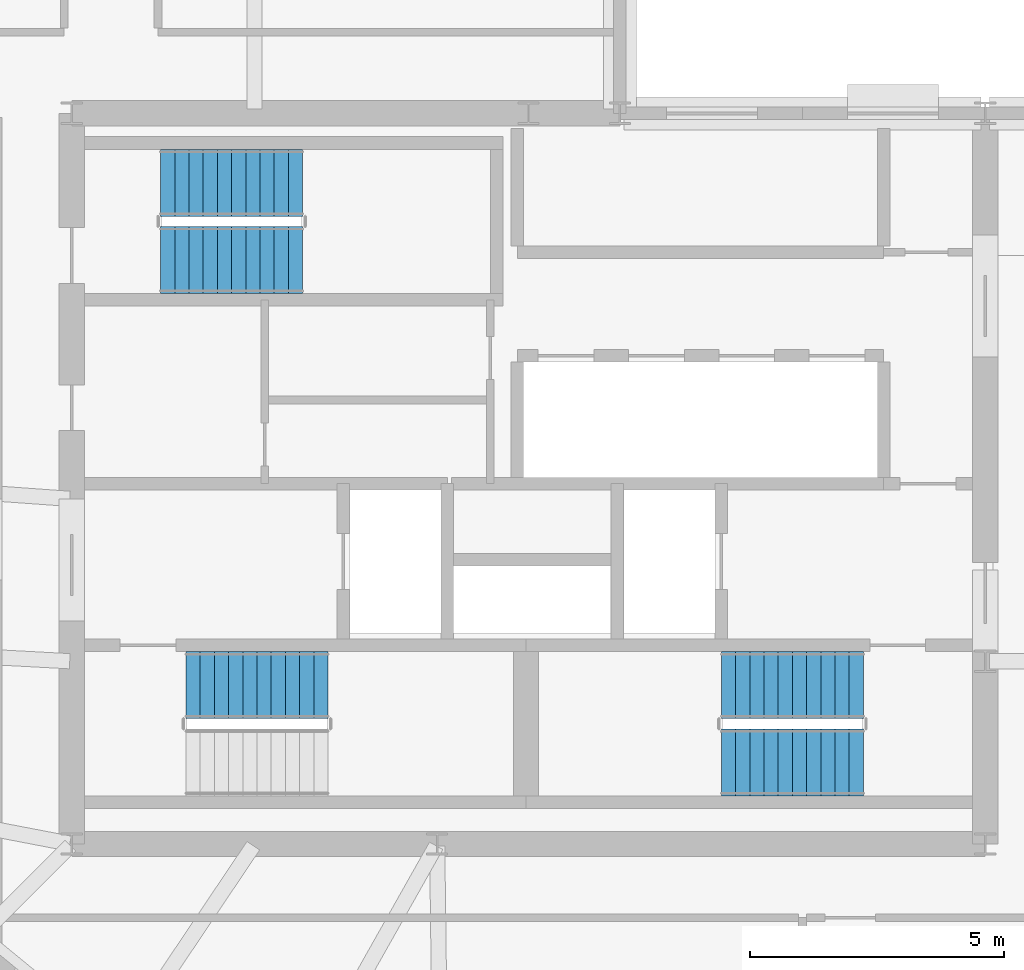
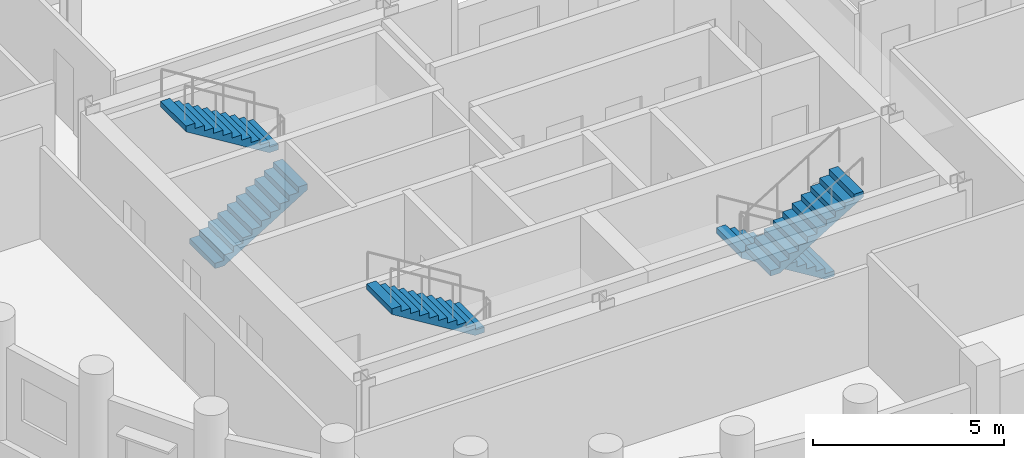
# One storey, part 6 of 8: 5 stair flights, 3 elements without a shape of their own.
"""IFC4 building model written with IfcOpenShell, lengths in metres."""

from ifc_helpers import new_model, si_unit, direction, frame, origin, place, context, subcontext, project, spatial, polyline, outline, extrude, material, type_object, element, aggregate, save


model = new_model("IFC4")

# Units and contexts
model_context = context("Model", 3, precision=1e-05, world=origin(), true_north=direction((0.0, 1.0)))
body_context = subcontext(model_context, "Body", "Model", "MODEL_VIEW")
ifc_project = project(units=[si_unit("LENGTHUNIT", "METRE"), si_unit("AREAUNIT", "SQUARE_METRE"), si_unit("VOLUMEUNIT", "CUBIC_METRE"), si_unit("PLANEANGLEUNIT", "RADIAN"), si_unit("MASSUNIT", "GRAM", prefix="KILO")], contexts=[model_context])

# Site, building, storey
site_placement = place(None, origin())
site = spatial("IfcSite", under=ifc_project, at=site_placement, CompositionType="ELEMENT")
building_placement = place(site_placement, origin())
building = spatial("IfcBuilding", under=site, at=building_placement, Name="Solnavia Interchange Tower", CompositionType="ELEMENT")
storey_placement = place(building_placement, frame((0.0, 0.0, 190.0)))
storey = spatial("IfcBuildingStorey", under=building, at=storey_placement, Name="L47", CompositionType="ELEMENT", Elevation=190.0)

# Stair, stair flight
ifc_material = material(Name="Concrete C40/50", Category="concrete")
stair_type = type_object("IfcStairType", Name="Stair-Dogleg-RC", PredefinedType="HALF_TURN_STAIR", material=ifc_material)
stair_1_placement = place(storey_placement, origin())
stair_1 = element("IfcStair", 1, at=stair_1_placement, inside=storey, type_object=stair_type, Name="L47 Core exit stair 1", PredefinedType="HALF_TURN_STAIR")
stair_flight_type = type_object("IfcStairFlightType", Name="StairFlight-RC-150", PredefinedType="STRAIGHT", material=ifc_material)
stair_flight_1_placement = place(storey_placement, frame((19.449951171875, 13.929931640625, 1.89990234375), z_axis=(0.0, 0.0, 1.0), x_axis=(-1.0, 0.0, 0.0)))
stair_flight_1 = element("IfcStairFlight", 2, at=stair_flight_1_placement, type_object=stair_flight_type, Name="ST-1 flight 2", NumberOfRisers=11, NumberOfTreads=10, PredefinedType="STRAIGHT", RiserHeight=0.172727273, TreadLength=0.28, context=body_context, shape_type="SweptSolid", body=[
    extrude(outline(polyline([(0.0, 0.0), (0.0, 0.172607421875), (0.280029296875, 0.172607421875), (0.280029296875, 0.345458984375), (0.56005859375, 0.345458984375), (0.56005859375, 0.51806640625), (0.840087890625, 0.51806640625), (0.840087890625, 0.69091796875), (1.1201171875, 0.69091796875), (1.1201171875, 0.863525390625), (1.39990234375, 0.863525390625), (1.39990234375, 1.036376953125), (1.679931640625, 1.036376953125), (1.679931640625, 1.208984375), (1.9599609375, 1.208984375), (1.9599609375, 1.3818359375), (2.239990234375, 1.3818359375), (2.239990234375, 1.554443359375), (2.52001953125, 1.554443359375), (2.52001953125, 1.727294921875), (2.800048828125, 1.727294921875), (2.800048828125, 1.89990234375), (2.800048828125, 1.551025390625), (0.285400390625, 0.0), (0.0, 0.0)])), frame((0.0, 0.66015625, 0.0), z_axis=(0.0, -1.0, 0.0), x_axis=(1.0, 0.0, 0.0)), (0.0, 0.0, 1.0), 1.320068359375),
])
aggregate(stair_1, [stair_flight_1])

# Stair, stair flights
stair_2_placement = place(storey_placement, origin())
stair_2 = element("IfcStair", 3, at=stair_2_placement, inside=storey, type_object=stair_type, Name="L47 Core exit stair 2", PredefinedType="HALF_TURN_STAIR")
stair_flight_2_placement = place(storey_placement, frame((30.0, 13.929931640625, 0.0), z_axis=(0.0, 0.0, 1.0), x_axis=(-1.0, 0.0, 0.0)))
stair_flight_2 = element("IfcStairFlight", 4, at=stair_flight_2_placement, type_object=stair_flight_type, Name="ST-2 flight 1", NumberOfRisers=11, NumberOfTreads=10, PredefinedType="STRAIGHT", RiserHeight=0.172727273, TreadLength=0.28, context=body_context, shape_type="SweptSolid", body=[
    extrude(outline(polyline([(0.0, 0.0), (0.0, 0.172607421875), (0.280029296875, 0.172607421875), (0.280029296875, 0.345458984375), (0.56005859375, 0.345458984375), (0.56005859375, 0.51806640625), (0.840087890625, 0.51806640625), (0.840087890625, 0.69091796875), (1.1201171875, 0.69091796875), (1.1201171875, 0.863525390625), (1.39990234375, 0.863525390625), (1.39990234375, 1.036376953125), (1.679931640625, 1.036376953125), (1.679931640625, 1.208984375), (1.9599609375, 1.208984375), (1.9599609375, 1.3818359375), (2.239990234375, 1.3818359375), (2.239990234375, 1.554443359375), (2.52001953125, 1.554443359375), (2.52001953125, 1.727294921875), (2.800048828125, 1.727294921875), (2.800048828125, 1.89990234375), (2.800048828125, 1.551025390625), (0.285400390625, 0.0), (0.0, 0.0)])), frame((0.0, 0.66015625, 0.0), z_axis=(0.0, -1.0, 0.0), x_axis=(1.0, 0.0, 0.0)), (0.0, 0.0, 1.0), 1.320068359375),
])
stair_flight_3_placement = place(storey_placement, frame((27.199951171875, 12.409912109375, 1.89990234375), z_axis=(0.0, 0.0, 1.0), x_axis=(1.0, 0.0, 0.0)))
stair_flight_3 = element("IfcStairFlight", 5, at=stair_flight_3_placement, type_object=stair_flight_type, Name="ST-2 flight 2", NumberOfRisers=11, NumberOfTreads=10, PredefinedType="STRAIGHT", RiserHeight=0.172727273, TreadLength=0.28, context=body_context, shape_type="SweptSolid", body=[
    extrude(outline(polyline([(0.0, 0.0), (0.0, 0.172607421875), (0.280029296875, 0.172607421875), (0.280029296875, 0.345458984375), (0.56005859375, 0.345458984375), (0.56005859375, 0.51806640625), (0.840087890625, 0.51806640625), (0.840087890625, 0.69091796875), (1.1201171875, 0.69091796875), (1.1201171875, 0.863525390625), (1.39990234375, 0.863525390625), (1.39990234375, 1.036376953125), (1.679931640625, 1.036376953125), (1.679931640625, 1.208984375), (1.9599609375, 1.208984375), (1.9599609375, 1.3818359375), (2.239990234375, 1.3818359375), (2.239990234375, 1.554443359375), (2.52001953125, 1.554443359375), (2.52001953125, 1.727294921875), (2.800048828125, 1.727294921875), (2.800048828125, 1.89990234375), (2.800048828125, 1.551025390625), (0.285400390625, 0.0), (0.0, 0.0)])), frame((0.0, 0.66015625, 0.0), z_axis=(0.0, -1.0, 0.0), x_axis=(1.0, 0.0, 0.0)), (0.0, 0.0, 1.0), 1.320068359375),
])
aggregate(stair_2, [stair_flight_2, stair_flight_3])

stair_3_placement = place(storey_placement, origin())
stair_3 = element("IfcStair", 6, at=stair_3_placement, inside=storey, type_object=stair_type, Name="L47 Core exit stair 3", PredefinedType="HALF_TURN_STAIR")
stair_flight_4_placement = place(storey_placement, frame((16.14990234375, 22.31005859375, 0.0), z_axis=(0.0, 0.0, 1.0), x_axis=(1.0, 0.0, 0.0)))
stair_flight_4 = element("IfcStairFlight", 7, at=stair_flight_4_placement, type_object=stair_flight_type, Name="ST-3 flight 1", NumberOfRisers=11, NumberOfTreads=10, PredefinedType="STRAIGHT", RiserHeight=0.172727273, TreadLength=0.28, context=body_context, shape_type="SweptSolid", body=[
    extrude(outline(polyline([(0.0, 0.0), (0.0, 0.172607421875), (0.280029296875, 0.172607421875), (0.280029296875, 0.345458984375), (0.56005859375, 0.345458984375), (0.56005859375, 0.51806640625), (0.840087890625, 0.51806640625), (0.840087890625, 0.69091796875), (1.1201171875, 0.69091796875), (1.1201171875, 0.863525390625), (1.39990234375, 0.863525390625), (1.39990234375, 1.036376953125), (1.679931640625, 1.036376953125), (1.679931640625, 1.208984375), (1.9599609375, 1.208984375), (1.9599609375, 1.3818359375), (2.239990234375, 1.3818359375), (2.239990234375, 1.554443359375), (2.52001953125, 1.554443359375), (2.52001953125, 1.727294921875), (2.800048828125, 1.727294921875), (2.800048828125, 1.89990234375), (2.800048828125, 1.551025390625), (0.285400390625, 0.0), (0.0, 0.0)])), frame((0.0, 0.66015625, 0.0), z_axis=(0.0, -1.0, 0.0), x_axis=(1.0, 0.0, 0.0)), (0.0, 0.0, 1.0), 1.320068359375),
])
stair_flight_5_placement = place(storey_placement, frame((18.949951171875, 23.830078125, 1.89990234375), z_axis=(0.0, 0.0, 1.0), x_axis=(-1.0, 0.0, 0.0)))
stair_flight_5 = element("IfcStairFlight", 8, at=stair_flight_5_placement, type_object=stair_flight_type, Name="ST-3 flight 2", NumberOfRisers=11, NumberOfTreads=10, PredefinedType="STRAIGHT", RiserHeight=0.172727273, TreadLength=0.28, context=body_context, shape_type="SweptSolid", body=[
    extrude(outline(polyline([(0.0, 0.0), (0.0, 0.172607421875), (0.280029296875, 0.172607421875), (0.280029296875, 0.345458984375), (0.56005859375, 0.345458984375), (0.56005859375, 0.51806640625), (0.840087890625, 0.51806640625), (0.840087890625, 0.69091796875), (1.1201171875, 0.69091796875), (1.1201171875, 0.863525390625), (1.39990234375, 0.863525390625), (1.39990234375, 1.036376953125), (1.679931640625, 1.036376953125), (1.679931640625, 1.208984375), (1.9599609375, 1.208984375), (1.9599609375, 1.3818359375), (2.239990234375, 1.3818359375), (2.239990234375, 1.554443359375), (2.52001953125, 1.554443359375), (2.52001953125, 1.727294921875), (2.800048828125, 1.727294921875), (2.800048828125, 1.89990234375), (2.800048828125, 1.551025390625), (0.285400390625, 0.0), (0.0, 0.0)])), frame((0.0, 0.66015625, 0.0), z_axis=(0.0, -1.0, 0.0), x_axis=(1.0, 0.0, 0.0)), (0.0, 0.0, 1.0), 1.320068359375),
])
aggregate(stair_3, [stair_flight_4, stair_flight_5])

save(model, "model.ifc")
